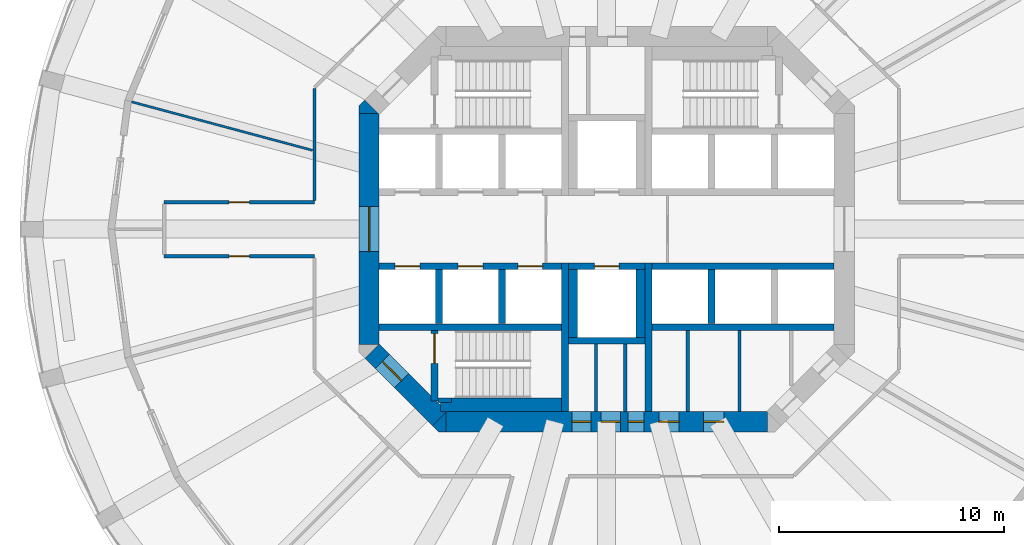
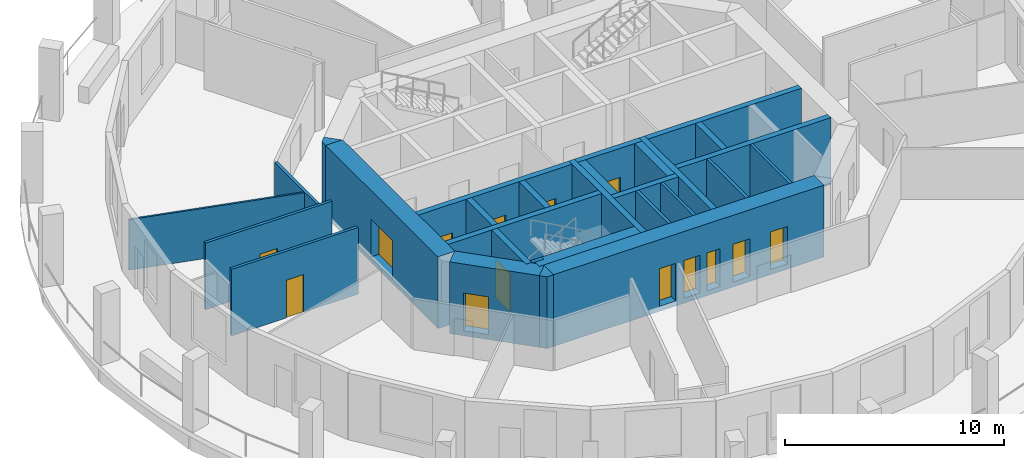
# One storey, part 3 of 9: 29 walls, 14 doors, 14 openings.
"""IFC4 building model written with IfcOpenShell, lengths in metres."""

from ifc_helpers import new_model, si_unit, direction, frame, frame_2d, origin, place, context, subcontext, project, spatial, polyline, rectangle, outline, extrude, material, layer, layer_set, type_object, element, fill, save


model = new_model("IFC4")

# Units and contexts
model_context = context("Model", 3, precision=1e-05, world=origin(), true_north=direction((0.0, 1.0)))
body_context = subcontext(model_context, "Body", "Model", "MODEL_VIEW")
ifc_project = project(units=[si_unit("LENGTHUNIT", "METRE"), si_unit("AREAUNIT", "SQUARE_METRE"), si_unit("VOLUMEUNIT", "CUBIC_METRE"), si_unit("PLANEANGLEUNIT", "RADIAN"), si_unit("MASSUNIT", "GRAM", prefix="KILO")], contexts=[model_context])

# Site, building, storey
site_placement = place(None, origin())
site = spatial("IfcSite", under=ifc_project, at=site_placement, CompositionType="ELEMENT")
building_placement = place(site_placement, origin())
building = spatial("IfcBuilding", under=site, at=building_placement, Name="Torre Triforio", CompositionType="ELEMENT")
storey_placement = place(building_placement, frame((0.0, 0.0, 98.60009765625)))
storey = spatial("IfcBuildingStorey", under=building, at=storey_placement, Name="L21", CompositionType="ELEMENT", Elevation=98.60009765625)

# Walls
ifc_material_1 = material(Name="Concrete C60", Category="concrete")
ifc_layer_1 = layer(ifc_material_1, 0.300048828125)
ifc_layer_set_1 = layer_set([ifc_layer_1], Name="Concrete C60")
wall_type_1 = type_object("IfcWallType", Name="Core wall 300 mm C60 EI 120", PredefinedType="SHEAR", material=ifc_layer_set_1)
for number, where, z_axis, x_axis, name in (
    (1, (-1.85009765625, -8.10009765625, 0.0), (0.0, 0.0, 1.0), (0.0, 1.0, 0.0), "Core wall"),
    (2, (1.85009765625, -8.10009765625, 0.0), (0.0, 0.0, 1.0), (0.0, 1.0, 0.0), "Core wall"),
):
    element("IfcWall", number, at=place(storey_placement, frame(where, z_axis=z_axis, x_axis=x_axis)), inside=storey, type_object=wall_type_1, Name=name, PredefinedType="SHEAR", context=body_context, shape_type="SweptSolid", body=[
        extrude(rectangle(XDim=6.60009765625, YDim=0.300048828125, at=frame_2d((3.300048828125, 0.0))), origin(), (0.0, 0.0, 1.0), 3.719970703125),
    ])

# Wall, openings, doors
ifc_layer_2 = layer(ifc_material_1, 0.89990234375)
ifc_layer_set_2 = layer_set([ifc_layer_2], Name="Concrete C60")
wall_type_2 = type_object("IfcWallType", Name="Core wall 900 mm C60 EI 120", PredefinedType="SHEAR", material=ifc_layer_set_2)
wall_1_placement = place(storey_placement, frame((-7.1298828125, -8.550048828125, -0.280029296875), z_axis=(0.0, 0.0, 1.0), x_axis=(1.0, 0.0, 0.0)))
wall_1 = element("IfcWall", 3, at=wall_1_placement, inside=storey, type_object=wall_type_2, Name="Core wall", PredefinedType="SHEAR", context=body_context, shape_type="SweptSolid", body=[
    extrude(rectangle(XDim=14.259765625, YDim=0.89990234375, at=frame_2d((7.1298828125, 0.0))), origin(), (0.0, 0.0, 1.0), 4.0),
])
opening_1_placement = place(wall_1_placement, frame((8.080078125, 0.0, 0.280029296875)))
opening_1 = element("IfcOpeningElement", 4, at=opening_1_placement, cuts=wall_1, Name="Opening RISER-S", PredefinedType="OPENING", context=body_context, shape_type="SweptSolid", body=[
    extrude(rectangle(XDim=0.699951171875, YDim=2.10009765625, at=frame_2d((0.35009765625, 1.050048828125))), frame((0.0, 0.4599609375, 0.0), z_axis=(0.0, -1.0, 0.0), x_axis=(1.0, 0.0, 0.0)), (0.0, 0.0, 1.0), 0.919921875),
])
opening_2_placement = place(wall_1_placement, frame((5.580078125, 0.0, 0.280029296875)))
opening_2 = element("IfcOpeningElement", 5, at=opening_2_placement, cuts=wall_1, Name="Opening SW-01A", PredefinedType="OPENING", context=body_context, shape_type="SweptSolid", body=[
    extrude(rectangle(XDim=0.85009765625, YDim=2.10009765625, at=frame_2d((0.425048828125, 1.050048828125))), frame((0.0, 0.4599609375, 0.0), z_axis=(0.0, -1.0, 0.0), x_axis=(1.0, 0.0, 0.0)), (0.0, 0.0, 1.0), 0.919921875),
])
opening_3_placement = place(wall_1_placement, frame((6.8798828125, 0.0, 0.280029296875)))
opening_3 = element("IfcOpeningElement", 6, at=opening_3_placement, cuts=wall_1, Name="Opening SW-02", PredefinedType="OPENING", context=body_context, shape_type="SweptSolid", body=[
    extrude(rectangle(XDim=0.85009765625, YDim=2.10009765625, at=frame_2d((0.425048828125, 1.050048828125))), frame((0.0, 0.4599609375, 0.0), z_axis=(0.0, -1.0, 0.0), x_axis=(1.0, 0.0, 0.0)), (0.0, 0.0, 1.0), 0.919921875),
])
opening_4_placement = place(wall_1_placement, frame((9.445068359375, 0.0, 0.280029296875)))
opening_4 = element("IfcOpeningElement", 7, at=opening_4_placement, cuts=wall_1, Name="Opening SE-01A", PredefinedType="OPENING", context=body_context, shape_type="SweptSolid", body=[
    extrude(rectangle(XDim=0.89990234375, YDim=2.10009765625, at=frame_2d((0.449951171875, 1.050048828125))), frame((0.0, 0.4599609375, 0.0), z_axis=(0.0, -1.0, 0.0), x_axis=(1.0, 0.0, 0.0)), (0.0, 0.0, 1.0), 0.919921875),
])
opening_5_placement = place(wall_1_placement, frame((11.430908203125, 0.0, 0.280029296875)))
opening_5 = element("IfcOpeningElement", 8, at=opening_5_placement, cuts=wall_1, Name="Opening SE-02", PredefinedType="OPENING", context=body_context, shape_type="SweptSolid", body=[
    extrude(rectangle(XDim=0.89990234375, YDim=2.10009765625, at=frame_2d((0.449951171875, 1.050048828125))), frame((0.0, 0.4599609375, 0.0), z_axis=(0.0, -1.0, 0.0), x_axis=(1.0, 0.0, 0.0)), (0.0, 0.0, 1.0), 0.919921875),
])
ifc_material_2 = material(Name="Hollow metal fire door leaf")
door_type_1 = type_object("IfcDoorType", Name="Riser door 700 x 2100 EI 60", OperationType="NOTDEFINED", PredefinedType="DOOR", material=ifc_material_2)
door_1_placement = place(opening_1_placement, origin())
door_1 = element("IfcDoor", 9, at=door_1_placement, inside=storey, type_object=door_type_1, Name="Core door RISER-S", OperationType="SINGLE_SWING_RIGHT", OverallHeight=2.10009765625, OverallWidth=0.699951171875, PredefinedType="DOOR", context=body_context, shape_type="SweptSolid", body=[
    extrude(rectangle(XDim=0.699951171875, YDim=2.10009765625, at=frame_2d((0.35009765625, 1.050048828125))), frame((0.0, 0.02490234375, 0.0), z_axis=(0.0, -1.0, 0.0), x_axis=(1.0, 0.0, 0.0)), (0.0, 0.0, 1.0), 0.050048828125),
])
fill(opening_1, door_1)
door_type_2 = type_object("IfcDoorType", Name="Room door 850 x 2100 EI 60", OperationType="NOTDEFINED", PredefinedType="DOOR", material=ifc_material_2)
door_2_placement = place(opening_2_placement, origin())
door_2 = element("IfcDoor", 10, at=door_2_placement, inside=storey, type_object=door_type_2, Name="Core door SW-01", OperationType="SINGLE_SWING_RIGHT", OverallHeight=2.10009765625, OverallWidth=0.85009765625, PredefinedType="DOOR", context=body_context, shape_type="SweptSolid", body=[
    extrude(rectangle(XDim=0.85009765625, YDim=2.10009765625, at=frame_2d((0.425048828125, 1.050048828125))), frame((0.0, 0.02490234375, 0.0), z_axis=(0.0, -1.0, 0.0), x_axis=(1.0, 0.0, 0.0)), (0.0, 0.0, 1.0), 0.050048828125),
])
fill(opening_2, door_2)
door_3_placement = place(opening_3_placement, origin())
door_3 = element("IfcDoor", 11, at=door_3_placement, inside=storey, type_object=door_type_2, Name="Core door SW-02", OperationType="SINGLE_SWING_LEFT", OverallHeight=2.10009765625, OverallWidth=0.85009765625, PredefinedType="DOOR", context=body_context, shape_type="SweptSolid", body=[
    extrude(rectangle(XDim=0.85009765625, YDim=2.10009765625, at=frame_2d((0.425048828125, 1.050048828125))), frame((0.0, 0.02490234375, 0.0), z_axis=(0.0, -1.0, 0.0), x_axis=(1.0, 0.0, 0.0)), (0.0, 0.0, 1.0), 0.050048828125),
])
fill(opening_3, door_3)
door_type_3 = type_object("IfcDoorType", Name="Room door 900 x 2100 EI 60", OperationType="NOTDEFINED", PredefinedType="DOOR", material=ifc_material_2)
door_4_placement = place(opening_4_placement, origin())
door_4 = element("IfcDoor", 12, at=door_4_placement, inside=storey, type_object=door_type_3, Name="Core door SE-01", OperationType="SINGLE_SWING_RIGHT", OverallHeight=2.10009765625, OverallWidth=0.89990234375, PredefinedType="DOOR", context=body_context, shape_type="SweptSolid", body=[
    extrude(rectangle(XDim=0.89990234375, YDim=2.10009765625, at=frame_2d((0.449951171875, 1.050048828125))), frame((0.0, 0.02490234375, 0.0), z_axis=(0.0, -1.0, 0.0), x_axis=(1.0, 0.0, 0.0)), (0.0, 0.0, 1.0), 0.050048828125),
])
fill(opening_4, door_4)
door_5_placement = place(opening_5_placement, origin())
door_5 = element("IfcDoor", 13, at=door_5_placement, inside=storey, type_object=door_type_3, Name="Core door SE-02", OperationType="SINGLE_SWING_LEFT", OverallHeight=2.10009765625, OverallWidth=0.89990234375, PredefinedType="DOOR", context=body_context, shape_type="SweptSolid", body=[
    extrude(rectangle(XDim=0.89990234375, YDim=2.10009765625, at=frame_2d((0.449951171875, 1.050048828125))), frame((0.0, 0.02490234375, 0.0), z_axis=(0.0, -1.0, 0.0), x_axis=(1.0, 0.0, 0.0)), (0.0, 0.0, 1.0), 0.050048828125),
])
fill(opening_5, door_5)

# Wall, opening, door
wall_2_placement = place(storey_placement, frame((-10.550048828125, -5.1298828125, -0.280029296875), z_axis=(0.0, 0.0, 1.0), x_axis=(0.0, 1.0, 0.0)))
wall_2 = element("IfcWall", 14, at=wall_2_placement, inside=storey, type_object=wall_type_2, Name="Core wall", PredefinedType="SHEAR", context=body_context, shape_type="SweptSolid", body=[
    extrude(rectangle(XDim=10.259765625, YDim=0.89990234375, at=frame_2d((5.1298828125, 0.0))), origin(), (0.0, 0.0, 1.0), 4.0),
])
opening_6_placement = place(wall_2_placement, frame((4.1298828125, 0.0, 0.280029296875)))
opening_6 = element("IfcOpeningElement", 15, at=opening_6_placement, cuts=wall_2, Name="Opening W-RING", PredefinedType="OPENING", context=body_context, shape_type="SweptSolid", body=[
    extrude(rectangle(XDim=2.0, YDim=2.10009765625, at=frame_2d((1.0, 1.050048828125))), frame((0.0, 0.4599609375, 0.0), z_axis=(0.0, -1.0, 0.0), x_axis=(1.0, 0.0, 0.0)), (0.0, 0.0, 1.0), 0.919921875),
])
door_type_4 = type_object("IfcDoorType", Name="Lobby door 2000 x 2100 EI 60", OperationType="DOUBLE_DOOR_SINGLE_SWING", PredefinedType="DOOR", material=ifc_material_2)
door_6_placement = place(opening_6_placement, origin())
door_6 = element("IfcDoor", 16, at=door_6_placement, inside=storey, type_object=door_type_4, Name="Core door W-RING", OperationType="DOUBLE_DOOR_SINGLE_SWING", OverallHeight=2.10009765625, OverallWidth=2.0, PredefinedType="DOOR", context=body_context, shape_type="SweptSolid", body=[
    extrude(rectangle(XDim=2.0, YDim=2.10009765625, at=frame_2d((1.0, 1.050048828125))), frame((0.0, 0.02490234375, 0.0), z_axis=(0.0, -1.0, 0.0), x_axis=(1.0, 0.0, 0.0)), (0.0, 0.0, 1.0), 0.050048828125),
])
fill(opening_6, door_6)

wall_3_placement = place(storey_placement, frame((-7.418212890625, -8.418212890625, -0.280029296875), z_axis=(0.0, 0.0, 1.0), x_axis=(-0.707106781187, 0.707106781187, 0.0)))
wall_3 = element("IfcWall", 17, at=wall_3_placement, inside=storey, type_object=wall_type_2, Name="Core wall", PredefinedType="SHEAR", context=body_context, shape_type="SweptSolid", body=[
    extrude(rectangle(XDim=4.24267578125, YDim=0.89990234375, at=frame_2d((2.121337890625, 0.0))), origin(), (0.0, 0.0, 1.0), 4.0),
])
opening_7_placement = place(wall_3_placement, frame((2.392578125, 0.0, 0.280029296875)))
opening_7 = element("IfcOpeningElement", 18, at=opening_7_placement, cuts=wall_3, Name="Opening ST3-EXIT", PredefinedType="OPENING", context=body_context, shape_type="SweptSolid", body=[
    extrude(rectangle(XDim=1.199951171875, YDim=2.10009765625, at=frame_2d((0.60009765625, 1.050048828125))), frame((0.0, 0.4599609375, 0.0), z_axis=(0.0, -1.0, 0.0), x_axis=(1.0, 0.0, 0.0)), (0.0, 0.0, 1.0), 0.919921875),
])
door_type_5 = type_object("IfcDoorType", Name="Stair lobby door 1200 x 2100 EI 60", OperationType="NOTDEFINED", PredefinedType="DOOR", material=ifc_material_2)
door_7_placement = place(opening_7_placement, origin())
door_7 = element("IfcDoor", 19, at=door_7_placement, inside=storey, type_object=door_type_5, Name="Core door ST3-EXIT", OperationType="SINGLE_SWING_RIGHT", OverallHeight=2.10009765625, OverallWidth=1.199951171875, PredefinedType="DOOR", context=body_context, shape_type="SweptSolid", body=[
    extrude(rectangle(XDim=1.199951171875, YDim=2.10009765625, at=frame_2d((0.60009765625, 1.050048828125))), frame((0.0, 0.02490234375, 0.0), z_axis=(0.0, -1.0, 0.0), x_axis=(1.0, 0.0, 0.0)), (0.0, 0.0, 1.0), 0.050048828125),
])
fill(opening_7, door_7)

# Walls
wall_4_placement = place(storey_placement, frame((0.0, 0.0, -0.280029296875)))
element("IfcWall", 20, at=wall_4_placement, inside=storey, type_object=wall_type_2, Name="Core wall", PredefinedType="SHEAR", context=body_context, shape_type="SweptSolid", body=[
    extrude(outline(polyline([(-7.472900390625, -9.0), (-7.736328125, -8.736328125), (-7.1298828125, -8.1298828125), (-7.1298828125, -9.0), (-7.472900390625, -9.0)])), origin(), (0.0, 0.0, 1.0), 4.0),
])
wall_5_placement = place(storey_placement, frame((0.0, 0.0, -0.280029296875)))
element("IfcWall", 21, at=wall_5_placement, inside=storey, type_object=wall_type_2, Name="Core wall", PredefinedType="SHEAR", context=body_context, shape_type="SweptSolid", body=[
    extrude(outline(polyline([(-10.736328125, 5.736328125), (-10.1298828125, 5.1298828125), (-11.0, 5.1298828125), (-11.0, 5.472900390625), (-10.736328125, 5.736328125)])), origin(), (0.0, 0.0, 1.0), 4.0),
])

# Wall, opening, door
ifc_material_3 = material(Name="Plasterboard on metal studs")
ifc_layer_3 = layer(ifc_material_3, 0.14990234375)
ifc_layer_set_3 = layer_set([ifc_layer_3], Name="Plasterboard on metal studs")
wall_type_3 = type_object("IfcWallType", Name="Corridor and tenancy wall 150 mm EI 60", PredefinedType="PARTITIONING", material=ifc_layer_set_3)
wall_6_placement = place(storey_placement, frame((-12.97509765625, -1.199951171875, 0.0), z_axis=(0.0, 0.0, 1.0), x_axis=(-1.0, 0.0, 0.0)))
wall_6 = element("IfcWall", 22, at=wall_6_placement, inside=storey, type_object=wall_type_3, Name="Partition 3", PredefinedType="PARTITIONING", context=body_context, shape_type="SweptSolid", body=[
    extrude(rectangle(XDim=6.673583984375, YDim=0.14990234375, at=frame_2d((3.3369140625, 0.0))), origin(), (0.0, 0.0, 1.0), 3.719970703125),
])
opening_8_placement = place(wall_6_placement, frame((2.886962890625, 0.0, 0.0)))
opening_8 = element("IfcOpeningElement", 23, at=opening_8_placement, cuts=wall_6, Name="Opening N7-03", PredefinedType="OPENING", context=body_context, shape_type="SweptSolid", body=[
    extrude(rectangle(XDim=0.89990234375, YDim=2.10009765625, at=frame_2d((0.449951171875, 1.050048828125))), frame((0.0, 0.0849609375, 0.0), z_axis=(0.0, -1.0, 0.0), x_axis=(1.0, 0.0, 0.0)), (0.0, 0.0, 1.0), 0.169921875),
])
ifc_material_4 = material(Name="Timber", Category="wood")
door_type_6 = type_object("IfcDoorType", Name="Door 900 x 2100 single leaf EI 30", OperationType="NOTDEFINED", PredefinedType="DOOR", material=ifc_material_4)
door_8_placement = place(opening_8_placement, origin())
door_8 = element("IfcDoor", 24, at=door_8_placement, inside=storey, type_object=door_type_6, Name="Door N7-03", OperationType="SINGLE_SWING_RIGHT", OverallHeight=2.10009765625, OverallWidth=0.89990234375, PredefinedType="DOOR", context=body_context, shape_type="SweptSolid", body=[
    extrude(rectangle(XDim=0.89990234375, YDim=2.10009765625, at=frame_2d((0.449951171875, 1.050048828125))), frame((0.0, 0.02490234375, 0.0), z_axis=(0.0, -1.0, 0.0), x_axis=(1.0, 0.0, 0.0)), (0.0, 0.0, 1.0), 0.050048828125),
])
fill(opening_8, door_8)

wall_7_placement = place(storey_placement, frame((-19.648681640625, 1.199951171875, 0.0), z_axis=(0.0, 0.0, 1.0), x_axis=(1.0, 0.0, 0.0)))
wall_7 = element("IfcWall", 25, at=wall_7_placement, inside=storey, type_object=wall_type_3, Name="Partition 5", PredefinedType="PARTITIONING", context=body_context, shape_type="SweptSolid", body=[
    extrude(rectangle(XDim=6.673583984375, YDim=0.14990234375, at=frame_2d((3.3369140625, 0.0))), origin(), (0.0, 0.0, 1.0), 3.719970703125),
])
opening_9_placement = place(wall_7_placement, frame((2.886962890625, 0.0, 0.0)))
opening_9 = element("IfcOpeningElement", 26, at=opening_9_placement, cuts=wall_7, Name="Opening N7-02", PredefinedType="OPENING", context=body_context, shape_type="SweptSolid", body=[
    extrude(rectangle(XDim=0.89990234375, YDim=2.10009765625, at=frame_2d((0.449951171875, 1.050048828125))), frame((0.0, 0.0849609375, 0.0), z_axis=(0.0, -1.0, 0.0), x_axis=(1.0, 0.0, 0.0)), (0.0, 0.0, 1.0), 0.169921875),
])
door_9_placement = place(opening_9_placement, origin())
door_9 = element("IfcDoor", 27, at=door_9_placement, inside=storey, type_object=door_type_6, Name="Door N7-02", OperationType="SINGLE_SWING_RIGHT", OverallHeight=2.10009765625, OverallWidth=0.89990234375, PredefinedType="DOOR", context=body_context, shape_type="SweptSolid", body=[
    extrude(rectangle(XDim=0.89990234375, YDim=2.10009765625, at=frame_2d((0.449951171875, 1.050048828125))), frame((0.0, 0.02490234375, 0.0), z_axis=(0.0, -1.0, 0.0), x_axis=(1.0, 0.0, 0.0)), (0.0, 0.0, 1.0), 0.050048828125),
])
fill(opening_9, door_9)

# Walls
wall_8_placement = place(storey_placement, frame((-12.97509765625, 1.27490234375, 0.0), z_axis=(0.0, 0.0, 1.0), x_axis=(0.0, 1.0, 0.0)))
element("IfcWall", 28, at=wall_8_placement, inside=storey, type_object=wall_type_3, Name="Partition 6", PredefinedType="PARTITIONING", context=body_context, shape_type="SweptSolid", body=[
    extrude(rectangle(XDim=4.96337890625, YDim=0.14990234375, at=frame_2d((2.481689453125, 0.0))), origin(), (0.0, 0.0, 1.0), 2.81982421875),
])
ifc_layer_4 = layer(ifc_material_3, 0.10009765625)
ifc_layer_set_4 = layer_set([ifc_layer_4], Name="Plasterboard on metal studs")
wall_type_4 = type_object("IfcWallType", Name="Partition 100 mm board on metal studs", PredefinedType="PARTITIONING", material=ifc_layer_set_4)
wall_9_placement = place(storey_placement, frame((-13.064208984375, 3.50048828125, 0.0), z_axis=(0.0, 0.0, 1.0), x_axis=(-0.965920254223, 0.258839839442, 0.0)))
element("IfcWall", 29, at=wall_9_placement, inside=storey, type_object=wall_type_4, Name="Partition 38", PredefinedType="PARTITIONING", context=body_context, shape_type="SweptSolid", body=[
    extrude(rectangle(XDim=8.3115234375, YDim=0.10009765625, at=frame_2d((4.15576171875, 0.0))), origin(), (0.0, 0.0, 1.0), 2.81982421875),
])
ifc_material_5 = material(Name="Block and board partition")
ifc_layer_5 = layer(ifc_material_5, 0.14990234375)
ifc_layer_set_5 = layer_set([ifc_layer_5], Name="Block and board partition")
wall_type_5 = type_object("IfcWallType", Name="Partition 150 mm", PredefinedType="PARTITIONING", material=ifc_layer_set_5)
wall_10_placement = place(storey_placement, frame((-0.47509765625, -8.10009765625, 0.0), z_axis=(0.0, 0.0, 1.0), x_axis=(0.0, 1.0, 0.0)))
element("IfcWall", 30, at=wall_10_placement, inside=storey, type_object=wall_type_5, Name="Partition", PredefinedType="PARTITIONING", context=body_context, shape_type="SweptSolid", body=[
    extrude(rectangle(XDim=3.0, YDim=0.14990234375, at=frame_2d((1.5, 0.0))), origin(), (0.0, 0.0, 1.0), 3.719970703125),
])
for number, where, z_axis, x_axis, name in (
    (31, (3.60498046875, -8.10009765625, 0.0), (0.0, 0.0, 1.0), (0.0, 1.0, 0.0), "Partition"),
    (32, (5.89697265625, -8.10009765625, 0.0), (0.0, 0.0, 1.0), (0.0, 1.0, 0.0), "Partition"),
):
    element("IfcWall", number, at=place(storey_placement, frame(where, z_axis=z_axis, x_axis=x_axis)), inside=storey, type_object=wall_type_5, Name=name, PredefinedType="PARTITIONING", context=body_context, shape_type="SweptSolid", body=[
        extrude(rectangle(XDim=3.60009765625, YDim=0.14990234375, at=frame_2d((1.800048828125, 0.0))), origin(), (0.0, 0.0, 1.0), 3.719970703125),
    ])
ifc_layer_6 = layer(ifc_material_5, 0.14990234375)
ifc_layer_set_6 = layer_set([ifc_layer_6], Name="Block and board partition")
wall_type_6 = type_object("IfcWallType", Name="Partition 150 mm EI 120", PredefinedType="PARTITIONING", material=ifc_layer_set_6)
wall_11_placement = place(storey_placement, frame((0.824951171875, -8.10009765625, 0.0), z_axis=(0.0, 0.0, 1.0), x_axis=(0.0, 1.0, 0.0)))
element("IfcWall", 33, at=wall_11_placement, inside=storey, type_object=wall_type_6, Name="Partition", PredefinedType="PARTITIONING", context=body_context, shape_type="SweptSolid", body=[
    extrude(rectangle(XDim=3.0, YDim=0.14990234375, at=frame_2d((1.5, 0.0))), origin(), (0.0, 0.0, 1.0), 3.719970703125),
])
ifc_layer_7 = layer(ifc_material_1, 0.300048828125)
ifc_layer_set_7 = layer_set([ifc_layer_7], Name="Concrete C60")
wall_type_7 = type_object("IfcWallType", Name="Shaft wall 300 mm C60 EI 120", PredefinedType="SOLIDWALL", material=ifc_layer_set_7)
for number, where, z_axis, x_axis, name in (
    (34, (-10.10009765625, -4.35009765625, 0.0), (0.0, 0.0, 1.0), (1.0, 0.0, 0.0), "Shaft wall"),
    (35, (2.0, -4.35009765625, 0.0), (0.0, 0.0, 1.0), (1.0, 0.0, 0.0), "Shaft wall"),
):
    element("IfcWall", number, at=place(storey_placement, frame(where, z_axis=z_axis, x_axis=x_axis)), inside=storey, type_object=wall_type_7, Name=name, PredefinedType="SOLIDWALL", context=body_context, shape_type="SweptSolid", body=[
        extrude(rectangle(XDim=8.10009765625, YDim=0.300048828125, at=frame_2d((4.050048828125, 0.0))), origin(), (0.0, 0.0, 1.0), 3.719970703125),
    ])

# Wall, openings, doors
wall_12_placement = place(storey_placement, frame((-10.10009765625, -1.64990234375, 0.0), z_axis=(0.0, 0.0, 1.0), x_axis=(1.0, 0.0, 0.0)))
wall_12 = element("IfcWall", 36, at=wall_12_placement, inside=storey, type_object=wall_type_7, Name="Shaft wall", PredefinedType="SOLIDWALL", context=body_context, shape_type="SweptSolid", body=[
    extrude(rectangle(XDim=8.10009765625, YDim=0.300048828125, at=frame_2d((4.050048828125, 0.0))), origin(), (0.0, 0.0, 1.0), 3.719970703125),
])
opening_10_placement = place(wall_12_placement, frame((0.699951171875, 0.0, 0.0)))
opening_10 = element("IfcOpeningElement", 37, at=opening_10_placement, cuts=wall_12, Name="Opening LD", PredefinedType="OPENING", context=body_context, shape_type="SweptSolid", body=[
    extrude(rectangle(XDim=1.10009765625, YDim=2.10009765625, at=frame_2d((0.550048828125, 1.050048828125))), frame((0.0, 0.159912109375, 0.0), z_axis=(0.0, -1.0, 0.0), x_axis=(1.0, 0.0, 0.0)), (0.0, 0.0, 1.0), 0.320068359375),
])
opening_11_placement = place(wall_12_placement, frame((3.5, 0.0, 0.0)))
opening_11 = element("IfcOpeningElement", 38, at=opening_11_placement, cuts=wall_12, Name="Opening LD", PredefinedType="OPENING", context=body_context, shape_type="SweptSolid", body=[
    extrude(rectangle(XDim=1.10009765625, YDim=2.10009765625, at=frame_2d((0.550048828125, 1.050048828125))), frame((0.0, 0.159912109375, 0.0), z_axis=(0.0, -1.0, 0.0), x_axis=(1.0, 0.0, 0.0)), (0.0, 0.0, 1.0), 0.320068359375),
])
opening_12_placement = place(wall_12_placement, frame((6.14990234375, 0.0, 0.0)))
opening_12 = element("IfcOpeningElement", 39, at=opening_12_placement, cuts=wall_12, Name="Opening LD", PredefinedType="OPENING", context=body_context, shape_type="SweptSolid", body=[
    extrude(rectangle(XDim=1.10009765625, YDim=2.10009765625, at=frame_2d((0.550048828125, 1.050048828125))), frame((0.0, 0.159912109375, 0.0), z_axis=(0.0, -1.0, 0.0), x_axis=(1.0, 0.0, 0.0)), (0.0, 0.0, 1.0), 0.320068359375),
])
door_type_7 = type_object("IfcDoorType", Name="Landing door 1100 x 2100 EI 60", OperationType="DOUBLE_DOOR_SLIDING", PredefinedType="DOOR", material=ifc_material_2)
door_10_placement = place(opening_10_placement, origin())
door_10 = element("IfcDoor", 40, at=door_10_placement, inside=storey, type_object=door_type_7, Name="Landing door LR4", OperationType="DOUBLE_DOOR_SLIDING", OverallHeight=2.10009765625, OverallWidth=1.10009765625, PredefinedType="DOOR", context=body_context, shape_type="SweptSolid", body=[
    extrude(rectangle(XDim=1.10009765625, YDim=2.10009765625, at=frame_2d((0.550048828125, 1.050048828125))), frame((0.0, 0.02490234375, 0.0), z_axis=(0.0, -1.0, 0.0), x_axis=(1.0, 0.0, 0.0)), (0.0, 0.0, 1.0), 0.050048828125),
])
fill(opening_10, door_10)
door_11_placement = place(opening_11_placement, origin())
door_11 = element("IfcDoor", 41, at=door_11_placement, inside=storey, type_object=door_type_7, Name="Landing door LR5", OperationType="DOUBLE_DOOR_SLIDING", OverallHeight=2.10009765625, OverallWidth=1.10009765625, PredefinedType="DOOR", context=body_context, shape_type="SweptSolid", body=[
    extrude(rectangle(XDim=1.10009765625, YDim=2.10009765625, at=frame_2d((0.550048828125, 1.050048828125))), frame((0.0, 0.02490234375, 0.0), z_axis=(0.0, -1.0, 0.0), x_axis=(1.0, 0.0, 0.0)), (0.0, 0.0, 1.0), 0.050048828125),
])
fill(opening_11, door_11)
door_12_placement = place(opening_12_placement, origin())
door_12 = element("IfcDoor", 42, at=door_12_placement, inside=storey, type_object=door_type_7, Name="Landing door LR6", OperationType="DOUBLE_DOOR_SLIDING", OverallHeight=2.10009765625, OverallWidth=1.10009765625, PredefinedType="DOOR", context=body_context, shape_type="SweptSolid", body=[
    extrude(rectangle(XDim=1.10009765625, YDim=2.10009765625, at=frame_2d((0.550048828125, 1.050048828125))), frame((0.0, 0.02490234375, 0.0), z_axis=(0.0, -1.0, 0.0), x_axis=(1.0, 0.0, 0.0)), (0.0, 0.0, 1.0), 0.050048828125),
])
fill(opening_12, door_12)

# Walls
wall_13_placement = place(storey_placement, frame((2.0, -1.64990234375, 0.0), z_axis=(0.0, 0.0, 1.0), x_axis=(1.0, 0.0, 0.0)))
element("IfcWall", 43, at=wall_13_placement, inside=storey, type_object=wall_type_7, Name="Shaft wall", PredefinedType="SOLIDWALL", context=body_context, shape_type="SweptSolid", body=[
    extrude(rectangle(XDim=8.10009765625, YDim=0.300048828125, at=frame_2d((4.050048828125, 0.0))), origin(), (0.0, 0.0, 1.0), 3.719970703125),
])
for number, where, z_axis, x_axis, name in (
    (44, (-7.449951171875, -4.199951171875, 0.0), (0.0, 0.0, 1.0), (0.0, 1.0, 0.0), "Shaft wall"),
    (45, (-4.64990234375, -4.199951171875, 0.0), (0.0, 0.0, 1.0), (0.0, 1.0, 0.0), "Shaft wall"),
    (46, (4.64990234375, -4.199951171875, 0.0), (0.0, 0.0, 1.0), (0.0, 1.0, 0.0), "Shaft wall"),
):
    element("IfcWall", number, at=place(storey_placement, frame(where, z_axis=z_axis, x_axis=x_axis)), inside=storey, type_object=wall_type_7, Name=name, PredefinedType="SOLIDWALL", context=body_context, shape_type="SweptSolid", body=[
        extrude(rectangle(XDim=2.39990234375, YDim=0.300048828125, at=frame_2d((1.199951171875, 0.0))), origin(), (0.0, 0.0, 1.0), 3.719970703125),
    ])

# Wall, opening, door
wall_14_placement = place(storey_placement, frame((-1.699951171875, -1.64990234375, 0.0), z_axis=(0.0, 0.0, 1.0), x_axis=(1.0, 0.0, 0.0)))
wall_14 = element("IfcWall", 47, at=wall_14_placement, inside=storey, type_object=wall_type_7, Name="Shaft wall", PredefinedType="SOLIDWALL", context=body_context, shape_type="SweptSolid", body=[
    extrude(rectangle(XDim=3.39990234375, YDim=0.300048828125, at=frame_2d((1.699951171875, 0.0))), origin(), (0.0, 0.0, 1.0), 3.719970703125),
])
opening_13_placement = place(wall_14_placement, frame((1.14990234375, 0.0, 0.0)))
opening_13 = element("IfcOpeningElement", 48, at=opening_13_placement, cuts=wall_14, Name="Opening LD", PredefinedType="OPENING", context=body_context, shape_type="SweptSolid", body=[
    extrude(rectangle(XDim=1.10009765625, YDim=2.10009765625, at=frame_2d((0.550048828125, 1.050048828125))), frame((0.0, 0.159912109375, 0.0), z_axis=(0.0, -1.0, 0.0), x_axis=(1.0, 0.0, 0.0)), (0.0, 0.0, 1.0), 0.320068359375),
])
door_13_placement = place(opening_13_placement, origin())
door_13 = element("IfcDoor", 49, at=door_13_placement, inside=storey, type_object=door_type_7, Name="Landing door FFL2", OperationType="DOUBLE_DOOR_SLIDING", OverallHeight=2.10009765625, OverallWidth=1.10009765625, PredefinedType="DOOR", context=body_context, shape_type="SweptSolid", body=[
    extrude(rectangle(XDim=1.10009765625, YDim=2.10009765625, at=frame_2d((0.550048828125, 1.050048828125))), frame((0.0, 0.02490234375, 0.0), z_axis=(0.0, -1.0, 0.0), x_axis=(1.0, 0.0, 0.0)), (0.0, 0.0, 1.0), 0.050048828125),
])
fill(opening_13, door_13)

# Walls
wall_15_placement = place(storey_placement, frame((-1.699951171875, -4.949951171875, 0.0), z_axis=(0.0, 0.0, 1.0), x_axis=(1.0, 0.0, 0.0)))
element("IfcWall", 50, at=wall_15_placement, inside=storey, type_object=wall_type_7, Name="Shaft wall", PredefinedType="SOLIDWALL", context=body_context, shape_type="SweptSolid", body=[
    extrude(rectangle(XDim=3.39990234375, YDim=0.300048828125, at=frame_2d((1.699951171875, 0.0))), origin(), (0.0, 0.0, 1.0), 3.719970703125),
])
ifc_layer_8 = layer(ifc_material_1, 0.39990234375)
ifc_layer_set_8 = layer_set([ifc_layer_8], Name="Concrete C60")
wall_type_8 = type_object("IfcWallType", Name="Shaft wall 400 mm C60 EI 120", PredefinedType="SOLIDWALL", material=ifc_layer_set_8)
for number, where, z_axis, x_axis, name in (
    (51, (-1.5, -4.800048828125, 0.0), (0.0, 0.0, 1.0), (0.0, 1.0, 0.0), "Shaft wall"),
    (52, (1.5, -4.800048828125, 0.0), (0.0, 0.0, 1.0), (0.0, 1.0, 0.0), "Shaft wall"),
):
    element("IfcWall", number, at=place(storey_placement, frame(where, z_axis=z_axis, x_axis=x_axis)), inside=storey, type_object=wall_type_8, Name=name, PredefinedType="SOLIDWALL", context=body_context, shape_type="SweptSolid", body=[
        extrude(rectangle(XDim=3.0, YDim=0.39990234375, at=frame_2d((1.5, 0.0))), origin(), (0.0, 0.0, 1.0), 3.719970703125),
    ])
ifc_layer_9 = layer(ifc_material_1, 0.199951171875)
ifc_layer_set_9 = layer_set([ifc_layer_9], Name="Concrete C60")
wall_type_9 = type_object("IfcWallType", Name="Stair wall 200 mm C60 EI 120", PredefinedType="SHEAR", material=ifc_layer_set_9)
wall_16_placement = place(storey_placement, frame((-7.5, -7.60009765625, 0.0), z_axis=(0.0, 0.0, 1.0), x_axis=(1.0, 0.0, 0.0)))
element("IfcWall", 53, at=wall_16_placement, inside=storey, type_object=wall_type_9, Name="Stair wall", PredefinedType="SHEAR", context=body_context, shape_type="SweptSolid", body=[
    extrude(rectangle(XDim=0.60009765625, YDim=0.199951171875, at=frame_2d((0.300048828125, 0.0))), origin(), (0.0, 0.0, 1.0), 3.719970703125),
])

# Wall, opening, door
ifc_layer_10 = layer(ifc_material_1, 0.300048828125)
ifc_layer_set_10 = layer_set([ifc_layer_10], Name="Concrete C60")
wall_type_10 = type_object("IfcWallType", Name="Stair wall 300 mm C60 EI 120", PredefinedType="SHEAR", material=ifc_layer_set_10)
wall_17_placement = place(storey_placement, frame((-7.64990234375, -7.639892578125, 0.0), z_axis=(0.0, 0.0, 1.0), x_axis=(0.0, 1.0, 0.0)))
wall_17 = element("IfcWall", 54, at=wall_17_placement, inside=storey, type_object=wall_type_10, Name="Stair wall", PredefinedType="SHEAR", context=body_context, shape_type="SweptSolid", body=[
    extrude(rectangle(XDim=3.139892578125, YDim=0.300048828125, at=frame_2d((1.56982421875, 0.0))), origin(), (0.0, 0.0, 1.0), 3.719970703125),
])
opening_14_placement = place(wall_17_placement, frame((1.679931640625, 0.0, 0.0)))
opening_14 = element("IfcOpeningElement", 55, at=opening_14_placement, cuts=wall_17, Name="Opening ST3-STA", PredefinedType="OPENING", context=body_context, shape_type="SweptSolid", body=[
    extrude(rectangle(XDim=1.320068359375, YDim=2.10009765625, at=frame_2d((0.66015625, 1.050048828125))), frame((0.0, 0.159912109375, 0.0), z_axis=(0.0, -1.0, 0.0), x_axis=(1.0, 0.0, 0.0)), (0.0, 0.0, 1.0), 0.320068359375),
])
door_type_8 = type_object("IfcDoorType", Name="Stair door 1320 x 2100 EI 90", OperationType="DOUBLE_DOOR_SINGLE_SWING", PredefinedType="DOOR", material=ifc_material_2)
door_14_placement = place(opening_14_placement, origin())
door_14 = element("IfcDoor", 56, at=door_14_placement, inside=storey, type_object=door_type_8, Name="Core door ST3-ST", OperationType="DOUBLE_DOOR_SINGLE_SWING", OverallHeight=2.10009765625, OverallWidth=1.320068359375, PredefinedType="DOOR", context=body_context, shape_type="SweptSolid", body=[
    extrude(rectangle(XDim=1.320068359375, YDim=2.10009765625, at=frame_2d((0.66015625, 1.050048828125))), frame((0.0, 0.02490234375, 0.0), z_axis=(0.0, -1.0, 0.0), x_axis=(1.0, 0.0, 0.0)), (0.0, 0.0, 1.0), 0.050048828125),
])
fill(opening_14, door_14)

# Wall
ifc_layer_11 = layer(ifc_material_1, 0.60009765625)
ifc_layer_set_11 = layer_set([ifc_layer_11], Name="Concrete C60")
wall_type_11 = type_object("IfcWallType", Name="Stair wall 600 mm C60 EI 120", PredefinedType="SHEAR", material=ifc_layer_set_11)
wall_18_placement = place(storey_placement, frame((-7.3701171875, -7.800048828125, 0.0), z_axis=(0.0, 0.0, 1.0), x_axis=(1.0, 0.0, 0.0)))
element("IfcWall", 57, at=wall_18_placement, inside=storey, type_object=wall_type_11, Name="Stair wall", PredefinedType="SHEAR", context=body_context, shape_type="SweptSolid", body=[
    extrude(rectangle(XDim=5.3701171875, YDim=0.60009765625, at=frame_2d((2.68505859375, 0.0))), origin(), (0.0, 0.0, 1.0), 3.719970703125),
])

save(model, "model.ifc")
